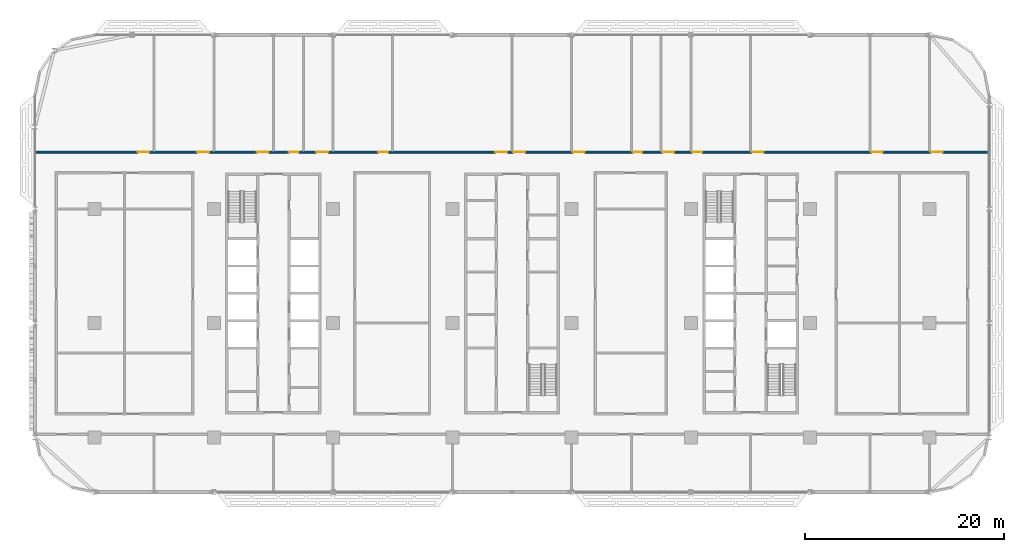
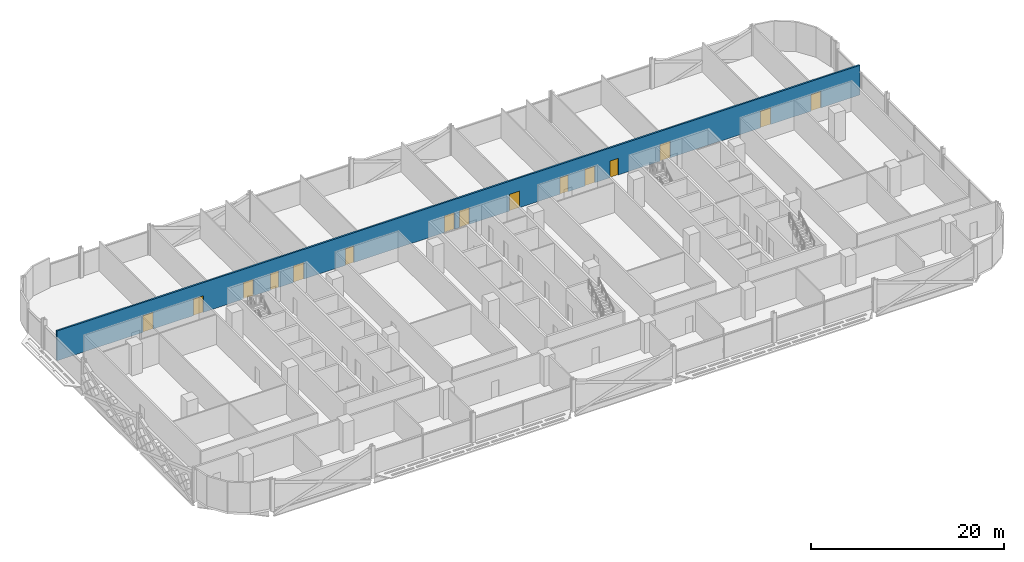
# One storey, part 16 of 29: 15 doors, 1 wall, 15 openings.
"""IFC4 building model written with IfcOpenShell, lengths in metres."""

from ifc_helpers import new_model, si_unit, direction, frame, frame_2d, origin, place, context, subcontext, project, spatial, rectangle, extrude, material, layer, layer_set, type_object, element, fill, save


model = new_model("IFC4")

# Units and contexts
model_context = context("Model", 3, precision=1e-05, world=origin(), true_north=direction((0.0, 1.0)))
body_context = subcontext(model_context, "Body", "Model", "MODEL_VIEW")
ifc_project = project(units=[si_unit("LENGTHUNIT", "METRE"), si_unit("AREAUNIT", "SQUARE_METRE"), si_unit("VOLUMEUNIT", "CUBIC_METRE"), si_unit("PLANEANGLEUNIT", "RADIAN"), si_unit("MASSUNIT", "GRAM", prefix="KILO")], contexts=[model_context])

# Site, building, storey
site_placement = place(None, origin())
site = spatial("IfcSite", under=ifc_project, at=site_placement, CompositionType="ELEMENT")
building_placement = place(site_placement, origin())
building = spatial("IfcBuilding", under=site, at=building_placement, Name="Mahtab Terrace Research Tower", CompositionType="ELEMENT")
storey_placement = place(building_placement, frame((0.0, 0.0, 126.10009765625)))
storey = spatial("IfcBuildingStorey", under=building, at=storey_placement, Name="L29", CompositionType="ELEMENT", Elevation=126.10009765625)

# Wall, openings, doors
ifc_material_1 = material(Name="Gypsum board corridor wall on steel studs", Category="steel")
ifc_layer = layer(ifc_material_1, 0.199951171875)
ifc_layer_set = layer_set([ifc_layer], Name="WALL CORRIDOR 200")
wall_type = type_object("IfcWallType", Name="WALL CORRIDOR 200", PredefinedType="PARTITIONING", material=ifc_layer_set)
wall_placement = place(storey_placement, frame((-47.97509765625, 17.199951171875, 0.0), z_axis=(0.0, 0.0, 1.0), x_axis=(1.0, 0.0, 0.0)))
wall = element("IfcWall", 1, at=wall_placement, inside=storey, type_object=wall_type, Name="L29-W026", PredefinedType="PARTITIONING", context=body_context, shape_type="SweptSolid", body=[
    extrude(rectangle(XDim=95.9501953125, YDim=0.199951171875, at=frame_2d((47.97509765625, 0.0))), origin(), (0.0, 0.0, 1.0), 3.760009765625),
])
opening_1_placement = place(wall_placement, frame((10.300048828125, 0.0, 0.0)))
opening_1 = element("IfcOpeningElement", 2, at=opening_1_placement, cuts=wall, Name="Opening L29-126", PredefinedType="OPENING", context=body_context, shape_type="SweptSolid", body=[
    extrude(rectangle(XDim=1.199951171875, YDim=2.10009765625, at=frame_2d((0.60009765625, 1.050048828125))), frame((0.0, 0.10986328125, 0.0), z_axis=(0.0, -1.0, 0.0), x_axis=(1.0, 0.0, 0.0)), (0.0, 0.0, 1.0), 0.219970703125),
])
opening_2_placement = place(wall_placement, frame((16.300048828125, 0.0, 0.0)))
opening_2 = element("IfcOpeningElement", 3, at=opening_2_placement, cuts=wall, Name="Opening L29-127", PredefinedType="OPENING", context=body_context, shape_type="SweptSolid", body=[
    extrude(rectangle(XDim=1.199951171875, YDim=2.10009765625, at=frame_2d((0.60009765625, 1.050048828125))), frame((0.0, 0.10986328125, 0.0), z_axis=(0.0, -1.0, 0.0), x_axis=(1.0, 0.0, 0.0)), (0.0, 0.0, 1.0), 0.219970703125),
])
opening_3_placement = place(wall_placement, frame((22.300048828125, 0.0, 0.0)))
opening_3 = element("IfcOpeningElement", 4, at=opening_3_placement, cuts=wall, Name="Opening L29-128", PredefinedType="OPENING", context=body_context, shape_type="SweptSolid", body=[
    extrude(rectangle(XDim=1.199951171875, YDim=2.10009765625, at=frame_2d((0.60009765625, 1.050048828125))), frame((0.0, 0.10986328125, 0.0), z_axis=(0.0, -1.0, 0.0), x_axis=(1.0, 0.0, 0.0)), (0.0, 0.0, 1.0), 0.219970703125),
])
opening_4_placement = place(wall_placement, frame((25.5, 0.0, 0.0)))
opening_4 = element("IfcOpeningElement", 5, at=opening_4_placement, cuts=wall, Name="Opening L29-129", PredefinedType="OPENING", context=body_context, shape_type="SweptSolid", body=[
    extrude(rectangle(XDim=1.0, YDim=2.10009765625, at=frame_2d((0.5, 1.050048828125))), frame((0.0, 0.10986328125, 0.0), z_axis=(0.0, -1.0, 0.0), x_axis=(1.0, 0.0, 0.0)), (0.0, 0.0, 1.0), 0.219970703125),
])
opening_5_placement = place(wall_placement, frame((28.300048828125, 0.0, 0.0)))
opening_5 = element("IfcOpeningElement", 6, at=opening_5_placement, cuts=wall, Name="Opening L29-130", PredefinedType="OPENING", context=body_context, shape_type="SweptSolid", body=[
    extrude(rectangle(XDim=1.199951171875, YDim=2.10009765625, at=frame_2d((0.60009765625, 1.050048828125))), frame((0.0, 0.10986328125, 0.0), z_axis=(0.0, -1.0, 0.0), x_axis=(1.0, 0.0, 0.0)), (0.0, 0.0, 1.0), 0.219970703125),
])
opening_6_placement = place(wall_placement, frame((34.5, 0.0, 0.0)))
opening_6 = element("IfcOpeningElement", 7, at=opening_6_placement, cuts=wall, Name="Opening L29-131", PredefinedType="OPENING", context=body_context, shape_type="SweptSolid", body=[
    extrude(rectangle(XDim=1.0, YDim=2.10009765625, at=frame_2d((0.5, 1.050048828125))), frame((0.0, 0.10986328125, 0.0), z_axis=(0.0, -1.0, 0.0), x_axis=(1.0, 0.0, 0.0)), (0.0, 0.0, 1.0), 0.219970703125),
])
opening_7_placement = place(wall_placement, frame((46.300048828125, 0.0, 0.0)))
opening_7 = element("IfcOpeningElement", 8, at=opening_7_placement, cuts=wall, Name="Opening L29-132", PredefinedType="OPENING", context=body_context, shape_type="SweptSolid", body=[
    extrude(rectangle(XDim=1.199951171875, YDim=2.10009765625, at=frame_2d((0.60009765625, 1.050048828125))), frame((0.0, 0.10986328125, 0.0), z_axis=(0.0, -1.0, 0.0), x_axis=(1.0, 0.0, 0.0)), (0.0, 0.0, 1.0), 0.219970703125),
])
opening_8_placement = place(wall_placement, frame((48.10009765625, 0.0, 0.0)))
opening_8 = element("IfcOpeningElement", 9, at=opening_8_placement, cuts=wall, Name="Opening L29-133", PredefinedType="OPENING", context=body_context, shape_type="SweptSolid", body=[
    extrude(rectangle(XDim=1.199951171875, YDim=2.10009765625, at=frame_2d((0.60009765625, 1.050048828125))), frame((0.0, 0.10986328125, 0.0), z_axis=(0.0, -1.0, 0.0), x_axis=(1.0, 0.0, 0.0)), (0.0, 0.0, 1.0), 0.219970703125),
])
opening_9_placement = place(wall_placement, frame((54.10009765625, 0.0, 0.0)))
opening_9 = element("IfcOpeningElement", 10, at=opening_9_placement, cuts=wall, Name="Opening L29-134", PredefinedType="OPENING", context=body_context, shape_type="SweptSolid", body=[
    extrude(rectangle(XDim=1.199951171875, YDim=2.10009765625, at=frame_2d((0.60009765625, 1.050048828125))), frame((0.0, 0.10986328125, 0.0), z_axis=(0.0, -1.0, 0.0), x_axis=(1.0, 0.0, 0.0)), (0.0, 0.0, 1.0), 0.219970703125),
])
opening_10_placement = place(wall_placement, frame((60.10009765625, 0.0, 0.0)))
opening_10 = element("IfcOpeningElement", 11, at=opening_10_placement, cuts=wall, Name="Opening L29-135", PredefinedType="OPENING", context=body_context, shape_type="SweptSolid", body=[
    extrude(rectangle(XDim=1.0, YDim=2.10009765625, at=frame_2d((0.5, 1.050048828125))), frame((0.0, 0.10986328125, 0.0), z_axis=(0.0, -1.0, 0.0), x_axis=(1.0, 0.0, 0.0)), (0.0, 0.0, 1.0), 0.219970703125),
])
opening_11_placement = place(wall_placement, frame((63.10009765625, 0.0, 0.0)))
opening_11 = element("IfcOpeningElement", 12, at=opening_11_placement, cuts=wall, Name="Opening L29-136", PredefinedType="OPENING", context=body_context, shape_type="SweptSolid", body=[
    extrude(rectangle(XDim=1.199951171875, YDim=2.10009765625, at=frame_2d((0.60009765625, 1.050048828125))), frame((0.0, 0.10986328125, 0.0), z_axis=(0.0, -1.0, 0.0), x_axis=(1.0, 0.0, 0.0)), (0.0, 0.0, 1.0), 0.219970703125),
])
opening_12_placement = place(wall_placement, frame((66.10009765625, 0.0, 0.0)))
opening_12 = element("IfcOpeningElement", 13, at=opening_12_placement, cuts=wall, Name="Opening L29-137", PredefinedType="OPENING", context=body_context, shape_type="SweptSolid", body=[
    extrude(rectangle(XDim=1.0, YDim=2.10009765625, at=frame_2d((0.5, 1.050048828125))), frame((0.0, 0.10986328125, 0.0), z_axis=(0.0, -1.0, 0.0), x_axis=(1.0, 0.0, 0.0)), (0.0, 0.0, 1.0), 0.219970703125),
])
opening_13_placement = place(wall_placement, frame((72.10009765625, 0.0, 0.0)))
opening_13 = element("IfcOpeningElement", 14, at=opening_13_placement, cuts=wall, Name="Opening L29-138", PredefinedType="OPENING", context=body_context, shape_type="SweptSolid", body=[
    extrude(rectangle(XDim=1.199951171875, YDim=2.10009765625, at=frame_2d((0.60009765625, 1.050048828125))), frame((0.0, 0.10986328125, 0.0), z_axis=(0.0, -1.0, 0.0), x_axis=(1.0, 0.0, 0.0)), (0.0, 0.0, 1.0), 0.219970703125),
])
opening_14_placement = place(wall_placement, frame((84.10009765625, 0.0, 0.0)))
opening_14 = element("IfcOpeningElement", 15, at=opening_14_placement, cuts=wall, Name="Opening L29-139", PredefinedType="OPENING", context=body_context, shape_type="SweptSolid", body=[
    extrude(rectangle(XDim=1.199951171875, YDim=2.10009765625, at=frame_2d((0.60009765625, 1.050048828125))), frame((0.0, 0.10986328125, 0.0), z_axis=(0.0, -1.0, 0.0), x_axis=(1.0, 0.0, 0.0)), (0.0, 0.0, 1.0), 0.219970703125),
])
opening_15_placement = place(wall_placement, frame((90.10009765625, 0.0, 0.0)))
opening_15 = element("IfcOpeningElement", 16, at=opening_15_placement, cuts=wall, Name="Opening L29-140", PredefinedType="OPENING", context=body_context, shape_type="SweptSolid", body=[
    extrude(rectangle(XDim=1.199951171875, YDim=2.10009765625, at=frame_2d((0.60009765625, 1.050048828125))), frame((0.0, 0.10986328125, 0.0), z_axis=(0.0, -1.0, 0.0), x_axis=(1.0, 0.0, 0.0)), (0.0, 0.0, 1.0), 0.219970703125),
])
ifc_material_2 = material(Name="Timber door leaf in steel frame", Category="steel")
door_type_1 = type_object("IfcDoorType", Name="DOOR 1000X2100 FD30S", OperationType="SINGLE_SWING_LEFT", PredefinedType="DOOR", material=ifc_material_2)
door_1_placement = place(opening_4_placement, origin())
door_1 = element("IfcDoor", 17, at=door_1_placement, inside=storey, type_object=door_type_1, Name="Door L29-129", OperationType="SINGLE_SWING_LEFT", OverallHeight=2.10009765625, OverallWidth=1.0, PredefinedType="DOOR", context=body_context, shape_type="SweptSolid", body=[
    extrude(rectangle(XDim=1.0, YDim=2.10009765625, at=frame_2d((0.5, 1.050048828125))), frame((0.0, 0.02490234375, 0.0), z_axis=(0.0, -1.0, 0.0), x_axis=(1.0, 0.0, 0.0)), (0.0, 0.0, 1.0), 0.050048828125),
])
fill(opening_4, door_1)
door_2_placement = place(opening_6_placement, origin())
door_2 = element("IfcDoor", 18, at=door_2_placement, inside=storey, type_object=door_type_1, Name="Door L29-131", OperationType="SINGLE_SWING_LEFT", OverallHeight=2.10009765625, OverallWidth=1.0, PredefinedType="DOOR", context=body_context, shape_type="SweptSolid", body=[
    extrude(rectangle(XDim=1.0, YDim=2.10009765625, at=frame_2d((0.5, 1.050048828125))), frame((0.0, 0.02490234375, 0.0), z_axis=(0.0, -1.0, 0.0), x_axis=(1.0, 0.0, 0.0)), (0.0, 0.0, 1.0), 0.050048828125),
])
fill(opening_6, door_2)
door_3_placement = place(opening_10_placement, origin())
door_3 = element("IfcDoor", 19, at=door_3_placement, inside=storey, type_object=door_type_1, Name="Door L29-135", OperationType="SINGLE_SWING_RIGHT", OverallHeight=2.10009765625, OverallWidth=1.0, PredefinedType="DOOR", context=body_context, shape_type="SweptSolid", body=[
    extrude(rectangle(XDim=1.0, YDim=2.10009765625, at=frame_2d((0.5, 1.050048828125))), frame((0.0, 0.02490234375, 0.0), z_axis=(0.0, -1.0, 0.0), x_axis=(1.0, 0.0, 0.0)), (0.0, 0.0, 1.0), 0.050048828125),
])
fill(opening_10, door_3)
door_4_placement = place(opening_12_placement, origin())
door_4 = element("IfcDoor", 20, at=door_4_placement, inside=storey, type_object=door_type_1, Name="Door L29-137", OperationType="SINGLE_SWING_RIGHT", OverallHeight=2.10009765625, OverallWidth=1.0, PredefinedType="DOOR", context=body_context, shape_type="SweptSolid", body=[
    extrude(rectangle(XDim=1.0, YDim=2.10009765625, at=frame_2d((0.5, 1.050048828125))), frame((0.0, 0.02490234375, 0.0), z_axis=(0.0, -1.0, 0.0), x_axis=(1.0, 0.0, 0.0)), (0.0, 0.0, 1.0), 0.050048828125),
])
fill(opening_12, door_4)
door_type_2 = type_object("IfcDoorType", Name="DOOR 1200X2100 FD30S", OperationType="SINGLE_SWING_LEFT", PredefinedType="DOOR", material=ifc_material_2)
door_5_placement = place(opening_1_placement, origin())
door_5 = element("IfcDoor", 21, at=door_5_placement, inside=storey, type_object=door_type_2, Name="Door L29-126", OperationType="SINGLE_SWING_LEFT", OverallHeight=2.10009765625, OverallWidth=1.199951171875, PredefinedType="DOOR", context=body_context, shape_type="SweptSolid", body=[
    extrude(rectangle(XDim=1.199951171875, YDim=2.10009765625, at=frame_2d((0.60009765625, 1.050048828125))), frame((0.0, 0.02490234375, 0.0), z_axis=(0.0, -1.0, 0.0), x_axis=(1.0, 0.0, 0.0)), (0.0, 0.0, 1.0), 0.050048828125),
])
fill(opening_1, door_5)
door_6_placement = place(opening_2_placement, origin())
door_6 = element("IfcDoor", 22, at=door_6_placement, inside=storey, type_object=door_type_2, Name="Door L29-127", OperationType="SINGLE_SWING_LEFT", OverallHeight=2.10009765625, OverallWidth=1.199951171875, PredefinedType="DOOR", context=body_context, shape_type="SweptSolid", body=[
    extrude(rectangle(XDim=1.199951171875, YDim=2.10009765625, at=frame_2d((0.60009765625, 1.050048828125))), frame((0.0, 0.02490234375, 0.0), z_axis=(0.0, -1.0, 0.0), x_axis=(1.0, 0.0, 0.0)), (0.0, 0.0, 1.0), 0.050048828125),
])
fill(opening_2, door_6)
door_7_placement = place(opening_3_placement, origin())
door_7 = element("IfcDoor", 23, at=door_7_placement, inside=storey, type_object=door_type_2, Name="Door L29-128", OperationType="SINGLE_SWING_LEFT", OverallHeight=2.10009765625, OverallWidth=1.199951171875, PredefinedType="DOOR", context=body_context, shape_type="SweptSolid", body=[
    extrude(rectangle(XDim=1.199951171875, YDim=2.10009765625, at=frame_2d((0.60009765625, 1.050048828125))), frame((0.0, 0.02490234375, 0.0), z_axis=(0.0, -1.0, 0.0), x_axis=(1.0, 0.0, 0.0)), (0.0, 0.0, 1.0), 0.050048828125),
])
fill(opening_3, door_7)
door_8_placement = place(opening_5_placement, origin())
door_8 = element("IfcDoor", 24, at=door_8_placement, inside=storey, type_object=door_type_2, Name="Door L29-130", OperationType="SINGLE_SWING_LEFT", OverallHeight=2.10009765625, OverallWidth=1.199951171875, PredefinedType="DOOR", context=body_context, shape_type="SweptSolid", body=[
    extrude(rectangle(XDim=1.199951171875, YDim=2.10009765625, at=frame_2d((0.60009765625, 1.050048828125))), frame((0.0, 0.02490234375, 0.0), z_axis=(0.0, -1.0, 0.0), x_axis=(1.0, 0.0, 0.0)), (0.0, 0.0, 1.0), 0.050048828125),
])
fill(opening_5, door_8)
door_9_placement = place(opening_7_placement, origin())
door_9 = element("IfcDoor", 25, at=door_9_placement, inside=storey, type_object=door_type_2, Name="Door L29-132", OperationType="SINGLE_SWING_LEFT", OverallHeight=2.10009765625, OverallWidth=1.199951171875, PredefinedType="DOOR", context=body_context, shape_type="SweptSolid", body=[
    extrude(rectangle(XDim=1.199951171875, YDim=2.10009765625, at=frame_2d((0.60009765625, 1.050048828125))), frame((0.0, 0.02490234375, 0.0), z_axis=(0.0, -1.0, 0.0), x_axis=(1.0, 0.0, 0.0)), (0.0, 0.0, 1.0), 0.050048828125),
])
fill(opening_7, door_9)
door_10_placement = place(opening_8_placement, origin())
door_10 = element("IfcDoor", 26, at=door_10_placement, inside=storey, type_object=door_type_2, Name="Door L29-133", OperationType="SINGLE_SWING_RIGHT", OverallHeight=2.10009765625, OverallWidth=1.199951171875, PredefinedType="DOOR", context=body_context, shape_type="SweptSolid", body=[
    extrude(rectangle(XDim=1.199951171875, YDim=2.10009765625, at=frame_2d((0.60009765625, 1.050048828125))), frame((0.0, 0.02490234375, 0.0), z_axis=(0.0, -1.0, 0.0), x_axis=(1.0, 0.0, 0.0)), (0.0, 0.0, 1.0), 0.050048828125),
])
fill(opening_8, door_10)
door_11_placement = place(opening_9_placement, origin())
door_11 = element("IfcDoor", 27, at=door_11_placement, inside=storey, type_object=door_type_2, Name="Door L29-134", OperationType="SINGLE_SWING_RIGHT", OverallHeight=2.10009765625, OverallWidth=1.199951171875, PredefinedType="DOOR", context=body_context, shape_type="SweptSolid", body=[
    extrude(rectangle(XDim=1.199951171875, YDim=2.10009765625, at=frame_2d((0.60009765625, 1.050048828125))), frame((0.0, 0.02490234375, 0.0), z_axis=(0.0, -1.0, 0.0), x_axis=(1.0, 0.0, 0.0)), (0.0, 0.0, 1.0), 0.050048828125),
])
fill(opening_9, door_11)
door_12_placement = place(opening_11_placement, origin())
door_12 = element("IfcDoor", 28, at=door_12_placement, inside=storey, type_object=door_type_2, Name="Door L29-136", OperationType="SINGLE_SWING_RIGHT", OverallHeight=2.10009765625, OverallWidth=1.199951171875, PredefinedType="DOOR", context=body_context, shape_type="SweptSolid", body=[
    extrude(rectangle(XDim=1.199951171875, YDim=2.10009765625, at=frame_2d((0.60009765625, 1.050048828125))), frame((0.0, 0.02490234375, 0.0), z_axis=(0.0, -1.0, 0.0), x_axis=(1.0, 0.0, 0.0)), (0.0, 0.0, 1.0), 0.050048828125),
])
fill(opening_11, door_12)
door_13_placement = place(opening_13_placement, origin())
door_13 = element("IfcDoor", 29, at=door_13_placement, inside=storey, type_object=door_type_2, Name="Door L29-138", OperationType="SINGLE_SWING_RIGHT", OverallHeight=2.10009765625, OverallWidth=1.199951171875, PredefinedType="DOOR", context=body_context, shape_type="SweptSolid", body=[
    extrude(rectangle(XDim=1.199951171875, YDim=2.10009765625, at=frame_2d((0.60009765625, 1.050048828125))), frame((0.0, 0.02490234375, 0.0), z_axis=(0.0, -1.0, 0.0), x_axis=(1.0, 0.0, 0.0)), (0.0, 0.0, 1.0), 0.050048828125),
])
fill(opening_13, door_13)
door_14_placement = place(opening_14_placement, origin())
door_14 = element("IfcDoor", 30, at=door_14_placement, inside=storey, type_object=door_type_2, Name="Door L29-139", OperationType="SINGLE_SWING_RIGHT", OverallHeight=2.10009765625, OverallWidth=1.199951171875, PredefinedType="DOOR", context=body_context, shape_type="SweptSolid", body=[
    extrude(rectangle(XDim=1.199951171875, YDim=2.10009765625, at=frame_2d((0.60009765625, 1.050048828125))), frame((0.0, 0.02490234375, 0.0), z_axis=(0.0, -1.0, 0.0), x_axis=(1.0, 0.0, 0.0)), (0.0, 0.0, 1.0), 0.050048828125),
])
fill(opening_14, door_14)
door_15_placement = place(opening_15_placement, origin())
door_15 = element("IfcDoor", 31, at=door_15_placement, inside=storey, type_object=door_type_2, Name="Door L29-140", OperationType="SINGLE_SWING_RIGHT", OverallHeight=2.10009765625, OverallWidth=1.199951171875, PredefinedType="DOOR", context=body_context, shape_type="SweptSolid", body=[
    extrude(rectangle(XDim=1.199951171875, YDim=2.10009765625, at=frame_2d((0.60009765625, 1.050048828125))), frame((0.0, 0.02490234375, 0.0), z_axis=(0.0, -1.0, 0.0), x_axis=(1.0, 0.0, 0.0)), (0.0, 0.0, 1.0), 0.050048828125),
])
fill(opening_15, door_15)

save(model, "model.ifc")
